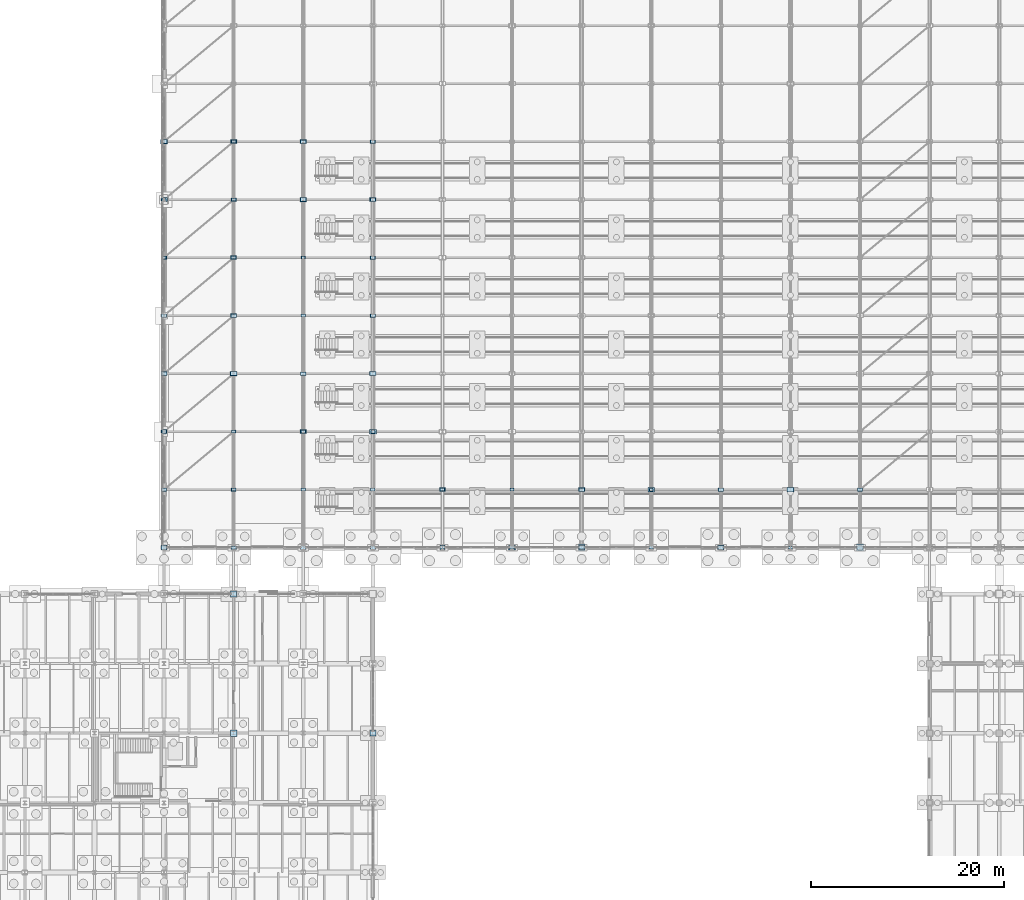
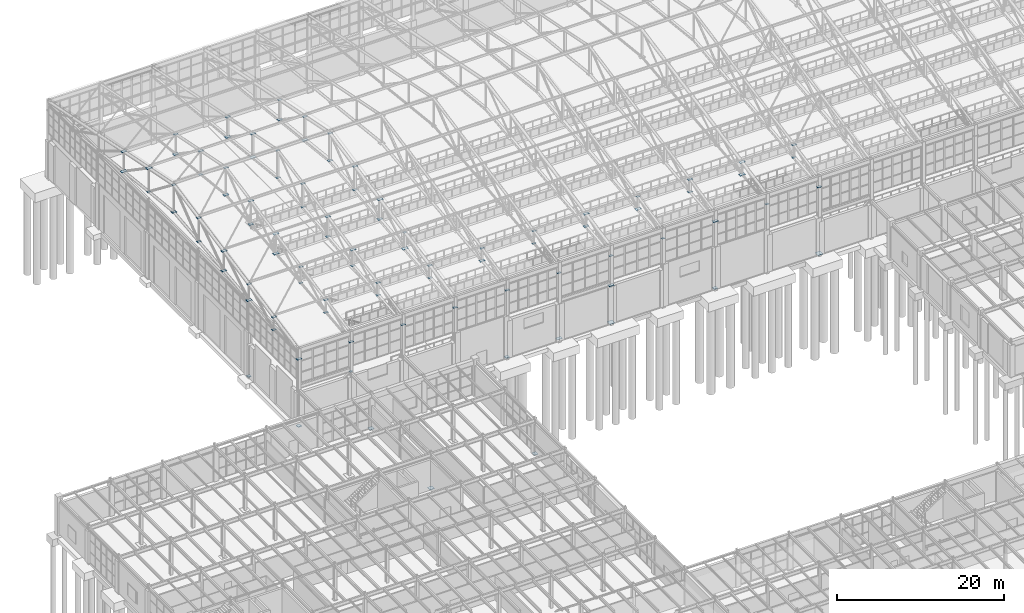
# One storey, part 256 of 293: 93 plates.
"""IFC4 building model written with IfcOpenShell, lengths in metres."""

import ifcopenshell
import ifcopenshell.guid

model = None  # the IFC model being written
_history = None  # IfcOwnerHistory: only IFC2X3 demands one
_inside = {}  # id of a spatial element -> (the spatial element, [elements in it])
_under = {}  # id of a project, library or spatial element -> (it, [spatial elements below it])
_declared = {}  # id of a project -> (the project, [libraries it declares])
_typed = {}  # id of a type object -> (the type object, [elements of that type])
_made_of = {}  # id of a material, layer set ... -> (it, [elements and type objects made of it])


def new_model(schema):
    """Start an empty IFC model of exactly this schema.

    Asked for "IFC4X3", IfcOpenShell would pick the latest addendum, in which some entities
    have other attributes; the version numbers below select the first issue.
    IFC2X3 requires an IfcOwnerHistory on every rooted entity: one is made here for all.
    """
    global model, _history
    if schema == "IFC4X3":
        model = ifcopenshell.file(schema_version=(4, 3, 0, 0))
    else:
        model = ifcopenshell.file(schema=schema)
    _inside.clear()
    _under.clear()
    _declared.clear()
    _typed.clear()
    _made_of.clear()
    _history = None
    if model.schema == "IFC2X3":
        org = make("IfcOrganization", Name="unknown")
        user = make(
            "IfcPersonAndOrganization",
            ThePerson=make("IfcPerson", FamilyName="unknown"),
            TheOrganization=org,
        )
        app = make(
            "IfcApplication",
            ApplicationDeveloper=org,
            Version="unknown",
            ApplicationFullName="unknown",
            ApplicationIdentifier="unknown",
        )
        _history = make(
            "IfcOwnerHistory",
            OwningUser=user,
            OwningApplication=app,
            ChangeAction="ADDED",
            CreationDate=0,
        )
    return model


def make(cls, **values):
    """One entity of the class cls with the attributes given. An attribute that is None is left unset."""
    return model.create_entity(
        cls, **{name: value for name, value in values.items() if value is not None}
    )


def rooted(cls, **values):
    """An entity with a GlobalId (a new one), such as an element, a storey or a relation."""
    return make(cls, GlobalId=ifcopenshell.guid.new(), OwnerHistory=_history, **values)


def si_unit(unit_type, name, prefix=None):
    """IfcSIUnit, for example si_unit("LENGTHUNIT", "METRE", prefix="MILLI")."""
    return make("IfcSIUnit", UnitType=unit_type, Prefix=prefix, Name=name)


def assignment(units):
    """IfcUnitAssignment: the units of a project."""
    return None if units is None else make("IfcUnitAssignment", Units=units)


def point(xyz):
    """IfcCartesianPoint."""
    return None if xyz is None else make("IfcCartesianPoint", Coordinates=xyz)


def direction(xyz):
    """IfcDirection."""
    return None if xyz is None else make("IfcDirection", DirectionRatios=xyz)


def frame(location, z_axis=None, x_axis=None):
    """IfcAxis2Placement3D, a coordinate frame: its origin and axes. An axis left out is left unset."""
    return make(
        "IfcAxis2Placement3D",
        Location=point(location),
        Axis=direction(z_axis),
        RefDirection=direction(x_axis),
    )


def frame_2d(location, x_axis=None):
    """IfcAxis2Placement2D, a coordinate frame in the plane: its origin and x axis."""
    return make(
        "IfcAxis2Placement2D", Location=point(location), RefDirection=direction(x_axis)
    )


def origin():
    """The frame at (0, 0, 0) with its axes left unset."""
    return frame((0.0, 0.0, 0.0))


def origin_2d():
    """The frame at (0, 0) in the plane with its x axis left unset."""
    return frame_2d((0.0, 0.0))


def place(relative_to, where):
    """IfcLocalPlacement: puts the frame where relative to a parent placement (None: the world)."""
    return make(
        "IfcLocalPlacement", PlacementRelTo=relative_to, RelativePlacement=where
    )


def context(
    kind, dimensions, precision=None, world=None, true_north=None, identifier=None
):
    """IfcGeometricRepresentationContext, for example the 3D "Model" context."""
    return make(
        "IfcGeometricRepresentationContext",
        ContextIdentifier=identifier,
        ContextType=kind,
        CoordinateSpaceDimension=dimensions,
        Precision=precision,
        WorldCoordinateSystem=world,
        TrueNorth=true_north,
    )


def subcontext(parent, identifier, kind, view, scale=None):
    """IfcGeometricRepresentationSubContext, for example "Body" below "Model"."""
    return make(
        "IfcGeometricRepresentationSubContext",
        ContextIdentifier=identifier,
        ContextType=kind,
        ParentContext=parent,
        TargetScale=scale,
        TargetView=view,
    )


def project(units=None, contexts=None):
    """IfcProject with its units and contexts."""
    return rooted(
        "IfcProject",
        Name="project",
        RepresentationContexts=contexts,
        UnitsInContext=assignment(units),
    )


def spatial(cls, under=None, at=None, **own):
    """A site, building, storey or space (cls), placed at a placement, below another one or the project."""
    s = rooted(cls, ObjectPlacement=at, **own)
    if under is not None:
        _under.setdefault(under.id(), (under, []))[1].append(s)
    return s


def profile(cls, at=None, kind="AREA", **sizes):
    """A parametric profile (cls). Its sizes go by their IFC names, for example OverallWidth=200.0."""
    return make(cls, ProfileType=kind, Position=at, **sizes)


def rectangle(**sizes):
    """IfcRectangleProfileDef."""
    return profile("IfcRectangleProfileDef", **sizes)


def extrude(swept, where, along, depth):
    """IfcExtrudedAreaSolid: the profile swept, set in the frame where, extruded along a direction by depth."""
    return make(
        "IfcExtrudedAreaSolid",
        SweptArea=swept,
        Position=where,
        ExtrudedDirection=direction(along),
        Depth=depth,
    )


def shape(context_of_items, identifier, shape_type, items):
    """IfcShapeRepresentation: the items that make up one representation, for example the "Body"."""
    return make(
        "IfcShapeRepresentation",
        ContextOfItems=context_of_items,
        RepresentationIdentifier=identifier,
        RepresentationType=shape_type,
        Items=items,
    )


def material(Name=None, Category=None):
    """IfcMaterial."""
    return make("IfcMaterial", Name=Name, Category=Category)


def layer(
    of_material, thickness, ventilated=None, Name=None, Category=None, Priority=None
):
    """IfcMaterialLayer: one layer of a wall or slab, of a material (None: an air gap)."""
    return make(
        "IfcMaterialLayer",
        Material=of_material,
        LayerThickness=thickness,
        IsVentilated=ventilated,
        Name=Name,
        Category=Category,
        Priority=Priority,
    )


def layer_set(layers, Name=None):
    """IfcMaterialLayerSet."""
    return make("IfcMaterialLayerSet", MaterialLayers=layers, LayerSetName=Name)


def made_of(thing, what):
    """Note that an element or type object is made of a material, layer set ...; save() writes the relation."""
    if what is not None:
        _made_of.setdefault(what.id(), (what, []))[1].append(thing)
    return thing


def type_object(cls, material=None, **own):
    """A type object (cls), such as IfcWallType, which elements share."""
    return made_of(rooted(cls, **own), material)


def element(
    cls,
    number,
    at=None,
    inside=None,
    cuts=None,
    type_object=None,
    material=None,
    context=None,
    identifier="Body",
    shape_type=None,
    held_by="IfcProductDefinitionShape",
    body=None,
    shapes=None,
    **own,
):
    """One element of the class cls, such as IfcWall. Its Tag is "e" and its number.

    at: its placement. inside: the storey or other place that contains it. cuts: it is an
    opening in that element (IfcRelVoidsElement). A single representation is given by context,
    identifier, shape_type and body (its items); several are given by shapes. held_by: the class
    of the entity that holds the representations. save() writes the other relations.
    """
    e = rooted(cls, Tag="e%d" % number, ObjectPlacement=at, **own)
    if body is not None:
        shapes = [shape(context, identifier, shape_type, body)]
    if shapes is not None:
        e.Representation = make(held_by, Representations=shapes)
    if inside is not None:
        _inside.setdefault(inside.id(), (inside, []))[1].append(e)
    if cuts is not None:
        rooted(
            "IfcRelVoidsElement", RelatingBuildingElement=cuts, RelatedOpeningElement=e
        )
    if type_object is not None:
        _typed.setdefault(type_object.id(), (type_object, []))[1].append(e)
    return made_of(e, material)


def aggregate(whole, parts):
    """IfcRelAggregates: a whole, such as a stair, and the parts it consists of."""
    return rooted("IfcRelAggregates", RelatingObject=whole, RelatedObjects=parts)


def save(model, path):
    """Write the relations noted so far, then the file.

    IfcRelAggregates (storeys below a building ...), IfcRelContainedInSpatialStructure (elements
    in a storey), IfcRelDefinesByType, IfcRelAssociatesMaterial and IfcRelDeclares: one each for
    every whole, place, type object, material and project.
    """
    for whole, parts in _under.values():
        aggregate(whole, parts)
    for where, things in _inside.values():
        rooted(
            "IfcRelContainedInSpatialStructure",
            RelatedElements=things,
            RelatingStructure=where,
        )
    for kind, things in _typed.values():
        rooted("IfcRelDefinesByType", RelatedObjects=things, RelatingType=kind)
    for what, things in _made_of.values():
        rooted("IfcRelAssociatesMaterial", RelatedObjects=things, RelatingMaterial=what)
    for by, libraries in _declared.values():
        rooted("IfcRelDeclares", RelatingContext=by, RelatedDefinitions=libraries)
    model.write(path)


model = new_model("IFC4")

# Units and contexts
model_context = context("Model", 3, precision=1e-05, world=origin(), true_north=direction((0.0, 1.0)))
body_context = subcontext(model_context, "Body", "Model", "MODEL_VIEW")
ifc_project = project(units=[si_unit("LENGTHUNIT", "METRE"), si_unit("AREAUNIT", "SQUARE_METRE"), si_unit("VOLUMEUNIT", "CUBIC_METRE"), si_unit("PLANEANGLEUNIT", "RADIAN"), si_unit("MASSUNIT", "GRAM", prefix="KILO")], contexts=[model_context])

# Site, building, storey
site_placement = place(None, origin())
site = spatial("IfcSite", under=ifc_project, at=site_placement, CompositionType="ELEMENT")
building_placement = place(site_placement, origin())
building = spatial("IfcBuilding", under=site, at=building_placement, Name="Kemerveld Promenade Tramway Depot", CompositionType="ELEMENT")
storey_placement = place(building_placement, origin())
storey = spatial("IfcBuildingStorey", under=building, at=storey_placement, Name="L00", CompositionType="ELEMENT", Elevation=0.0)

# Plates
ifc_material = material(Name="Steel S355", Category="steel")
ifc_layer_1 = layer(ifc_material, 0.034912109375)
ifc_layer_set_1 = layer_set([ifc_layer_1], Name="PL-BP05")
plate_type_1 = type_object("IfcPlateType", Name="PL-BP05", PredefinedType="USERDEFINED", material=ifc_layer_set_1)
for number, where, z_axis, x_axis, name in (
    (1, (79.199951171875, 84.0, 0.0), (0.0, 0.0, 1.0), (1.0, 0.0, 0.0), "BP-12-N"),
    (2, (108.0, 84.0, 0.0), (0.0, 0.0, 1.0), (1.0, 0.0, 0.0), "BP-16-N"),
):
    element("IfcPlate", number, at=place(storey_placement, frame(where, z_axis=z_axis, x_axis=x_axis)), inside=storey, type_object=plate_type_1, Name=name, ObjectType="BASE_PLATE", PredefinedType="USERDEFINED", context=body_context, shape_type="SweptSolid", body=[
        extrude(rectangle(XDim=0.699951171875, YDim=0.699951171875, at=origin_2d()), origin(), (0.0, 0.0, 1.0), 0.034912109375),
    ])
ifc_layer_2 = layer(ifc_material, 0.030029296875)
ifc_layer_set_2 = layer_set([ifc_layer_2], Name="PL-BP06")
plate_type_2 = type_object("IfcPlateType", Name="PL-BP06", PredefinedType="USERDEFINED", material=ifc_layer_set_2)
plate_1_placement = place(storey_placement, frame((43.199951171875, 64.800048828125, 0.0), z_axis=(0.0, 0.0, 1.0), x_axis=(1.0, 0.0, 0.0)))
element("IfcPlate", 3, at=plate_1_placement, inside=storey, type_object=plate_type_2, Name="BP-07-K", ObjectType="BASE_PLATE", PredefinedType="USERDEFINED", context=body_context, shape_type="SweptSolid", body=[
    extrude(rectangle(XDim=0.64990234375, YDim=0.64990234375, at=origin_2d()), origin(), (0.0, 0.0, 1.0), 0.030029296875),
])
ifc_layer_3 = layer(ifc_material, 0.030029296875)
ifc_layer_set_3 = layer_set([ifc_layer_3], Name="PL-BP07")
plate_type_3 = type_object("IfcPlateType", Name="PL-BP07", PredefinedType="USERDEFINED", material=ifc_layer_set_3)
for number, where, z_axis, x_axis, name in (
    (4, (43.199951171875, 79.199951171875, 0.0), (0.0, 0.0, 1.0), (1.0, 0.0, 0.0), "BP-07-M"),
    (5, (57.60009765625, 64.800048828125, 0.0), (0.0, 0.0, 1.0), (1.0, 0.0, 0.0), "BP-09-K"),
):
    element("IfcPlate", number, at=place(storey_placement, frame(where, z_axis=z_axis, x_axis=x_axis)), inside=storey, type_object=plate_type_3, Name=name, ObjectType="BASE_PLATE", PredefinedType="USERDEFINED", context=body_context, shape_type="SweptSolid", body=[
        extrude(rectangle(XDim=0.60009765625, YDim=0.60009765625, at=origin_2d()), origin(), (0.0, 0.0, 1.0), 0.030029296875),
    ])
ifc_layer_4 = layer(ifc_material, 0.02490234375)
ifc_layer_set_4 = layer_set([ifc_layer_4], Name="PL-BP11")
plate_type_4 = type_object("IfcPlateType", Name="PL-BP11", PredefinedType="USERDEFINED", material=ifc_layer_set_4)
for number, where, z_axis, x_axis, name in (
    (6, (36.0, 84.0, 0.0), (0.0, 0.0, 1.0), (1.0, 0.0, 0.0), "BP-06-N"),
    (7, (64.800048828125, 84.0, 0.0), (0.0, 0.0, 1.0), (1.0, 0.0, 0.0), "BP-10-N"),
    (8, (93.60009765625, 84.0, 0.0), (0.0, 0.0, 1.0), (1.0, 0.0, 0.0), "BP-14-N"),
):
    element("IfcPlate", number, at=place(storey_placement, frame(where, z_axis=z_axis, x_axis=x_axis)), inside=storey, type_object=plate_type_4, Name=name, ObjectType="BASE_PLATE", PredefinedType="USERDEFINED", context=body_context, shape_type="SweptSolid", body=[
        extrude(rectangle(XDim=0.5, YDim=0.5, at=origin_2d()), origin(), (0.0, 0.0, 1.0), 0.02490234375),
    ])
ifc_layer_5 = layer(ifc_material, 0.02197265625)
ifc_layer_set_5 = layer_set([ifc_layer_5], Name="PL-BP12")
plate_type_5 = type_object("IfcPlateType", Name="PL-BP12", PredefinedType="USERDEFINED", material=ifc_layer_set_5)
plate_2_placement = place(storey_placement, frame((36.0, 96.0, 0.0), z_axis=(0.0, 0.0, 1.0), x_axis=(1.0, 0.0, 0.0)))
element("IfcPlate", 9, at=plate_2_placement, inside=storey, type_object=plate_type_5, Name="BP-06-P", ObjectType="BASE_PLATE", PredefinedType="USERDEFINED", context=body_context, shape_type="SweptSolid", body=[
    extrude(rectangle(XDim=0.449951171875, YDim=0.449951171875, at=origin_2d()), origin(), (0.0, 0.0, 1.0), 0.02197265625),
])
ifc_layer_6 = layer(ifc_material, 0.02490234375)
ifc_layer_set_6 = layer_set([ifc_layer_6], Name="PL-GS01")
plate_type_6 = type_object("IfcPlateType", Name="PL-GS01", PredefinedType="USERDEFINED", material=ifc_layer_set_6)
for number, where, z_axis, x_axis, name in (
    (10, (36.0, 96.0, 11.107666015625), (0.0, 0.0, 1.0), (1.0, 0.0, 0.0), "GP-06-02"),
    (11, (36.0, 102.0, 14.6875), (0.0, 0.0, 1.0), (1.0, 0.0, 0.0), "GP-NODE-0076"),
    (12, (43.199951171875, 126.0, 11.767578125), (0.0, 0.0, 1.0), (1.0, 0.0, 0.0), "GP-NODE-0100"),
    (13, (50.39990234375, 96.0, 13.487548828125), (0.0, 0.0, 1.0), (1.0, 0.0, 0.0), "GP-NODE-0112"),
    (14, (57.60009765625, 120.0, 12.427490234375), (0.0, 0.0, 1.0), (1.0, 0.0, 0.0), "GP-NODE-0136"),
    (15, (64.800048828125, 90.0, 10.447509765625), (0.0, 0.0, 1.0), (1.0, 0.0, 0.0), "GP-NODE-0148"),
    (16, (79.199951171875, 90.0, 12.28759765625), (0.0, 0.0, 1.0), (1.0, 0.0, 0.0), "GP-NODE-0184"),
    (17, (93.60009765625, 84.0, 9.78759765625), (0.0, 0.0, 1.0), (1.0, 0.0, 0.0), "GP-NODE-0220"),
):
    element("IfcPlate", number, at=place(storey_placement, frame(where, z_axis=z_axis, x_axis=x_axis)), inside=storey, type_object=plate_type_6, Name=name, ObjectType="GUSSET_PLATE", PredefinedType="USERDEFINED", context=body_context, shape_type="SweptSolid", body=[
        extrude(rectangle(XDim=0.64990234375, YDim=0.419921875, at=origin_2d()), origin(), (0.0, 0.0, 1.0), 0.02490234375),
    ])
ifc_layer_7 = layer(ifc_material, 0.02490234375)
ifc_layer_set_7 = layer_set([ifc_layer_7], Name="PL-GS02")
plate_type_7 = type_object("IfcPlateType", Name="PL-GS02", PredefinedType="USERDEFINED", material=ifc_layer_set_7)
for number, where, z_axis, x_axis, name in (
    (18, (36.0, 114.0, 13.087646484375), (0.0, 0.0, 1.0), (1.0, 0.0, 0.0), "GP-06-05"),
    (19, (36.0, 102.0, 11.767578125), (0.0, 0.0, 1.0), (1.0, 0.0, 0.0), "GP-NODE-0077"),
    (20, (43.199951171875, 84.0, 9.78759765625), (0.0, 0.0, 1.0), (1.0, 0.0, 0.0), "GP-NODE-0089"),
    (21, (43.199951171875, 120.0, 15.887451171875), (0.0, 0.0, 1.0), (1.0, 0.0, 0.0), "GP-NODE-0101"),
    (22, (50.39990234375, 102.0, 14.6875), (0.0, 0.0, 1.0), (1.0, 0.0, 0.0), "GP-NODE-0113"),
    (23, (57.60009765625, 126.0, 11.767578125), (0.0, 0.0, 1.0), (1.0, 0.0, 0.0), "GP-NODE-0137"),
    (24, (79.199951171875, 90.0, 10.447509765625), (0.0, 0.0, 1.0), (1.0, 0.0, 0.0), "GP-NODE-0185"),
    (25, (93.60009765625, 90.0, 12.28759765625), (0.0, 0.0, 1.0), (1.0, 0.0, 0.0), "GP-NODE-0221"),
    (26, (108.0, 84.0, 9.78759765625), (0.0, 0.0, 1.0), (1.0, 0.0, 0.0), "GP-NODE-0257"),
):
    element("IfcPlate", number, at=place(storey_placement, frame(where, z_axis=z_axis, x_axis=x_axis)), inside=storey, type_object=plate_type_7, Name=name, ObjectType="GUSSET_PLATE", PredefinedType="USERDEFINED", context=body_context, shape_type="SweptSolid", body=[
        extrude(rectangle(XDim=0.580078125, YDim=0.3798828125, at=origin_2d()), origin(), (0.0, 0.0, 1.0), 0.02490234375),
    ])
ifc_layer_8 = layer(ifc_material, 0.02001953125)
ifc_layer_set_8 = layer_set([ifc_layer_8], Name="PL-GS03")
plate_type_8 = type_object("IfcPlateType", Name="PL-GS03", PredefinedType="USERDEFINED", material=ifc_layer_set_8)
for number, where, z_axis, x_axis, name in (
    (27, (36.0, 108.0, 15.889892578125), (0.0, 0.0, 1.0), (1.0, 0.0, 0.0), "GP-NODE-0078"),
    (28, (43.199951171875, 90.0, 12.2900390625), (0.0, 0.0, 1.0), (1.0, 0.0, 0.0), "GP-NODE-0090"),
    (29, (50.39990234375, 102.0, 11.77001953125), (0.0, 0.0, 1.0), (1.0, 0.0, 0.0), "GP-NODE-0114"),
    (30, (57.60009765625, 84.0, 9.7900390625), (0.0, 0.0, 1.0), (1.0, 0.0, 0.0), "GP-NODE-0126"),
    (31, (57.60009765625, 120.0, 15.889892578125), (0.0, 0.0, 1.0), (1.0, 0.0, 0.0), "GP-NODE-0138"),
    (32, (93.60009765625, 90.0, 10.449951171875), (0.0, 0.0, 1.0), (1.0, 0.0, 0.0), "GP-NODE-0222"),
    (33, (108.0, 90.0, 12.2900390625), (0.0, 0.0, 1.0), (1.0, 0.0, 0.0), "GP-NODE-0258"),
):
    element("IfcPlate", number, at=place(storey_placement, frame(where, z_axis=z_axis, x_axis=x_axis)), inside=storey, type_object=plate_type_8, Name=name, ObjectType="GUSSET_PLATE", PredefinedType="USERDEFINED", context=body_context, shape_type="SweptSolid", body=[
        extrude(rectangle(XDim=0.52001953125, YDim=0.340087890625, at=origin_2d()), origin(), (0.0, 0.0, 1.0), 0.02001953125),
    ])
ifc_layer_9 = layer(ifc_material, 0.02001953125)
ifc_layer_set_9 = layer_set([ifc_layer_9], Name="PL-GS04")
plate_type_9 = type_object("IfcPlateType", Name="PL-GS04", PredefinedType="USERDEFINED", material=ifc_layer_set_9)
for number, where, z_axis, x_axis, name in (
    (34, (50.39990234375, 96.0, 11.110107421875), (0.0, 0.0, 1.0), (1.0, 0.0, 0.0), "GP-08-02"),
    (35, (36.0, 108.0, 12.429931640625), (0.0, 0.0, 1.0), (1.0, 0.0, 0.0), "GP-NODE-0079"),
    (36, (43.199951171875, 90.0, 10.449951171875), (0.0, 0.0, 1.0), (1.0, 0.0, 0.0), "GP-NODE-0091"),
    (37, (43.199951171875, 126.0, 14.68994140625), (0.0, 0.0, 1.0), (1.0, 0.0, 0.0), "GP-NODE-0103"),
    (38, (50.39990234375, 108.0, 15.889892578125), (0.0, 0.0, 1.0), (1.0, 0.0, 0.0), "GP-NODE-0115"),
    (39, (57.60009765625, 90.0, 12.2900390625), (0.0, 0.0, 1.0), (1.0, 0.0, 0.0), "GP-NODE-0127"),
    (40, (72.0, 84.0, 9.7900390625), (0.0, 0.0, 1.0), (1.0, 0.0, 0.0), "GP-NODE-0163"),
    (41, (108.0, 90.0, 10.449951171875), (0.0, 0.0, 1.0), (1.0, 0.0, 0.0), "GP-NODE-0259"),
):
    element("IfcPlate", number, at=place(storey_placement, frame(where, z_axis=z_axis, x_axis=x_axis)), inside=storey, type_object=plate_type_9, Name=name, ObjectType="GUSSET_PLATE", PredefinedType="USERDEFINED", context=body_context, shape_type="SweptSolid", body=[
        extrude(rectangle(XDim=0.47998046875, YDim=0.320068359375, at=origin_2d()), origin(), (0.0, 0.0, 1.0), 0.02001953125),
    ])
ifc_layer_10 = layer(ifc_material, 0.02001953125)
ifc_layer_set_10 = layer_set([ifc_layer_10], Name="PL-GS05")
plate_type_10 = type_object("IfcPlateType", Name="PL-GS05", PredefinedType="USERDEFINED", material=ifc_layer_set_10)
for number, where, z_axis, x_axis, name in (
    (42, (50.39990234375, 114.0, 13.090087890625), (0.0, 0.0, 1.0), (1.0, 0.0, 0.0), "GP-08-05"),
    (43, (36.0, 114.0, 17.090087890625), (0.0, 0.0, 1.0), (1.0, 0.0, 0.0), "GP-NODE-0080"),
    (44, (43.199951171875, 96.0, 13.489990234375), (0.0, 0.0, 1.0), (1.0, 0.0, 0.0), "GP-NODE-0092"),
    (45, (50.39990234375, 108.0, 12.429931640625), (0.0, 0.0, 1.0), (1.0, 0.0, 0.0), "GP-NODE-0116"),
    (46, (57.60009765625, 90.0, 10.449951171875), (0.0, 0.0, 1.0), (1.0, 0.0, 0.0), "GP-NODE-0128"),
    (47, (57.60009765625, 126.0, 14.68994140625), (0.0, 0.0, 1.0), (1.0, 0.0, 0.0), "GP-NODE-0140"),
    (48, (72.0, 90.0, 12.2900390625), (0.0, 0.0, 1.0), (1.0, 0.0, 0.0), "GP-NODE-0164"),
    (49, (86.39990234375, 84.0, 9.7900390625), (0.0, 0.0, 1.0), (1.0, 0.0, 0.0), "GP-NODE-0200"),
):
    element("IfcPlate", number, at=place(storey_placement, frame(where, z_axis=z_axis, x_axis=x_axis)), inside=storey, type_object=plate_type_10, Name=name, ObjectType="GUSSET_PLATE", PredefinedType="USERDEFINED", context=body_context, shape_type="SweptSolid", body=[
        extrude(rectangle(XDim=0.43994140625, YDim=0.300048828125, at=origin_2d()), origin(), (0.0, 0.0, 1.0), 0.02001953125),
    ])
ifc_layer_11 = layer(ifc_material, 0.01806640625)
ifc_layer_set_11 = layer_set([ifc_layer_11], Name="PL-GS06")
plate_type_11 = type_object("IfcPlateType", Name="PL-GS06", PredefinedType="USERDEFINED", material=ifc_layer_set_11)
for number, where, z_axis, x_axis, name in (
    (50, (43.199951171875, 84.0, 5.454345703125), (0.0, 0.0, 1.0), (1.0, 0.0, 0.0), "GP-NODE-0057"),
    (51, (36.0, 120.0, 12.430908203125), (0.0, 0.0, 1.0), (1.0, 0.0, 0.0), "GP-NODE-0081"),
    (52, (43.199951171875, 96.0, 11.111083984375), (0.0, 0.0, 1.0), (1.0, 0.0, 0.0), "GP-NODE-0093"),
    (53, (50.39990234375, 114.0, 17.091064453125), (0.0, 0.0, 1.0), (1.0, 0.0, 0.0), "GP-NODE-0117"),
    (54, (57.60009765625, 96.0, 13.490966796875), (0.0, 0.0, 1.0), (1.0, 0.0, 0.0), "GP-NODE-0129"),
    (55, (72.0, 90.0, 10.450927734375), (0.0, 0.0, 1.0), (1.0, 0.0, 0.0), "GP-NODE-0165"),
    (56, (86.39990234375, 90.0, 12.291015625), (0.0, 0.0, 1.0), (1.0, 0.0, 0.0), "GP-NODE-0201"),
    (57, (100.800048828125, 84.0, 9.791015625), (0.0, 0.0, 1.0), (1.0, 0.0, 0.0), "GP-NODE-0237"),
):
    element("IfcPlate", number, at=place(storey_placement, frame(where, z_axis=z_axis, x_axis=x_axis)), inside=storey, type_object=plate_type_11, Name=name, ObjectType="GUSSET_PLATE", PredefinedType="USERDEFINED", context=body_context, shape_type="SweptSolid", body=[
        extrude(rectangle(XDim=0.39990234375, YDim=0.280029296875, at=origin_2d()), origin(), (0.0, 0.0, 1.0), 0.01806640625),
    ])
ifc_layer_12 = layer(ifc_material, 0.028076171875)
ifc_layer_set_12 = layer_set([ifc_layer_12], Name="PL-GS07")
plate_type_12 = type_object("IfcPlateType", Name="PL-GS07", PredefinedType="USERDEFINED", material=ifc_layer_set_12)
for number, where, z_axis, x_axis, name in (
    (58, (72.0, 84.0, 0.18603515625), (0.0, 0.0, 1.0), (1.0, 0.0, 0.0), "GP-NODE-0058"),
    (59, (36.0, 126.0, 11.76611328125), (0.0, 0.0, 1.0), (1.0, 0.0, 0.0), "GP-NODE-0082"),
    (60, (43.199951171875, 102.0, 14.68603515625), (0.0, 0.0, 1.0), (1.0, 0.0, 0.0), "GP-NODE-0094"),
    (61, (50.39990234375, 120.0, 12.42578125), (0.0, 0.0, 1.0), (1.0, 0.0, 0.0), "GP-NODE-0118"),
    (62, (57.60009765625, 96.0, 11.10595703125), (0.0, 0.0, 1.0), (1.0, 0.0, 0.0), "GP-NODE-0130"),
    (63, (86.39990234375, 90.0, 10.44580078125), (0.0, 0.0, 1.0), (1.0, 0.0, 0.0), "GP-NODE-0202"),
    (64, (100.800048828125, 90.0, 12.2861328125), (0.0, 0.0, 1.0), (1.0, 0.0, 0.0), "GP-NODE-0238"),
):
    element("IfcPlate", number, at=place(storey_placement, frame(where, z_axis=z_axis, x_axis=x_axis)), inside=storey, type_object=plate_type_12, Name=name, ObjectType="GUSSET_PLATE", PredefinedType="USERDEFINED", context=body_context, shape_type="SweptSolid", body=[
        extrude(rectangle(XDim=0.719970703125, YDim=0.4599609375, at=origin_2d()), origin(), (0.0, 0.0, 1.0), 0.028076171875),
    ])
ifc_layer_13 = layer(ifc_material, 0.02587890625)
ifc_layer_set_13 = layer_set([ifc_layer_13], Name="PL-GS08")
plate_type_13 = type_object("IfcPlateType", Name="PL-GS08", PredefinedType="USERDEFINED", material=ifc_layer_set_13)
for number, where, z_axis, x_axis, name in (
    (65, (79.199951171875, 84.0, 5.450439453125), (0.0, 0.0, 1.0), (1.0, 0.0, 0.0), "GP-NODE-0059"),
    (66, (36.0, 120.0, 15.886962890625), (0.0, 0.0, 1.0), (1.0, 0.0, 0.0), "GP-NODE-0083"),
    (67, (43.199951171875, 102.0, 11.76708984375), (0.0, 0.0, 1.0), (1.0, 0.0, 0.0), "GP-NODE-0095"),
    (68, (50.39990234375, 126.0, 11.76708984375), (0.0, 0.0, 1.0), (1.0, 0.0, 0.0), "GP-NODE-0119"),
    (69, (57.60009765625, 102.0, 14.68701171875), (0.0, 0.0, 1.0), (1.0, 0.0, 0.0), "GP-NODE-0131"),
    (70, (100.800048828125, 90.0, 10.447021484375), (0.0, 0.0, 1.0), (1.0, 0.0, 0.0), "GP-NODE-0239"),
):
    element("IfcPlate", number, at=place(storey_placement, frame(where, z_axis=z_axis, x_axis=x_axis)), inside=storey, type_object=plate_type_13, Name=name, ObjectType="GUSSET_PLATE", PredefinedType="USERDEFINED", context=body_context, shape_type="SweptSolid", body=[
        extrude(rectangle(XDim=0.679931640625, YDim=0.43994140625, at=origin_2d()), origin(), (0.0, 0.0, 1.0), 0.02587890625),
    ])
ifc_layer_14 = layer(ifc_material, 0.02392578125)
ifc_layer_set_14 = layer_set([ifc_layer_14], Name="PL-GS09")
plate_type_14 = type_object("IfcPlateType", Name="PL-GS09", PredefinedType="USERDEFINED", material=ifc_layer_set_14)
for number, where, z_axis, x_axis, name in (
    (71, (36.0, 84.0, 9.7880859375), (0.0, 0.0, 1.0), (1.0, 0.0, 0.0), "GP-NODE-0072"),
    (72, (36.0, 126.0, 14.68798828125), (0.0, 0.0, 1.0), (1.0, 0.0, 0.0), "GP-NODE-0084"),
    (73, (43.199951171875, 108.0, 15.887939453125), (0.0, 0.0, 1.0), (1.0, 0.0, 0.0), "GP-NODE-0096"),
    (74, (43.199951171875, 114.0, 13.088134765625), (0.0, 0.0, 1.0), (1.0, 0.0, 0.0), "GP-NODE-0108"),
    (75, (50.39990234375, 120.0, 15.887939453125), (0.0, 0.0, 1.0), (1.0, 0.0, 0.0), "GP-NODE-0120"),
    (76, (57.60009765625, 102.0, 11.76806640625), (0.0, 0.0, 1.0), (1.0, 0.0, 0.0), "GP-NODE-0132"),
):
    element("IfcPlate", number, at=place(storey_placement, frame(where, z_axis=z_axis, x_axis=x_axis)), inside=storey, type_object=plate_type_14, Name=name, ObjectType="GUSSET_PLATE", PredefinedType="USERDEFINED", context=body_context, shape_type="SweptSolid", body=[
        extrude(rectangle(XDim=0.6201171875, YDim=0.39990234375, at=origin_2d()), origin(), (0.0, 0.0, 1.0), 0.02392578125),
    ])
ifc_layer_15 = layer(ifc_material, 0.02197265625)
ifc_layer_set_15 = layer_set([ifc_layer_15], Name="PL-GS10")
plate_type_15 = type_object("IfcPlateType", Name="PL-GS10", PredefinedType="USERDEFINED", material=ifc_layer_set_15)
for number, where, z_axis, x_axis, name in (
    (77, (36.0, 90.0, 12.2890625), (0.0, 0.0, 1.0), (1.0, 0.0, 0.0), "GP-NODE-0073"),
    (78, (43.199951171875, 108.0, 12.428955078125), (0.0, 0.0, 1.0), (1.0, 0.0, 0.0), "GP-NODE-0097"),
    (79, (50.39990234375, 84.0, 9.7890625), (0.0, 0.0, 1.0), (1.0, 0.0, 0.0), "GP-NODE-0109"),
    (80, (50.39990234375, 126.0, 14.68896484375), (0.0, 0.0, 1.0), (1.0, 0.0, 0.0), "GP-NODE-0121"),
    (81, (57.60009765625, 108.0, 15.888916015625), (0.0, 0.0, 1.0), (1.0, 0.0, 0.0), "GP-NODE-0133"),
    (82, (57.60009765625, 114.0, 13.089111328125), (0.0, 0.0, 1.0), (1.0, 0.0, 0.0), "GP-NODE-0145"),
):
    element("IfcPlate", number, at=place(storey_placement, frame(where, z_axis=z_axis, x_axis=x_axis)), inside=storey, type_object=plate_type_15, Name=name, ObjectType="GUSSET_PLATE", PredefinedType="USERDEFINED", context=body_context, shape_type="SweptSolid", body=[
        extrude(rectangle(XDim=0.550048828125, YDim=0.360107421875, at=origin_2d()), origin(), (0.0, 0.0, 1.0), 0.02197265625),
    ])
ifc_layer_16 = layer(ifc_material, 0.02001953125)
ifc_layer_set_16 = layer_set([ifc_layer_16], Name="PL-GS11")
plate_type_16 = type_object("IfcPlateType", Name="PL-GS11", PredefinedType="USERDEFINED", material=ifc_layer_set_16)
for number, where, z_axis, x_axis, name in (
    (83, (36.0, 90.0, 10.449951171875), (0.0, 0.0, 1.0), (1.0, 0.0, 0.0), "GP-NODE-0074"),
    (84, (43.199951171875, 114.0, 17.090087890625), (0.0, 0.0, 1.0), (1.0, 0.0, 0.0), "GP-NODE-0098"),
    (85, (50.39990234375, 90.0, 12.2900390625), (0.0, 0.0, 1.0), (1.0, 0.0, 0.0), "GP-NODE-0110"),
    (86, (57.60009765625, 108.0, 12.429931640625), (0.0, 0.0, 1.0), (1.0, 0.0, 0.0), "GP-NODE-0134"),
    (87, (64.800048828125, 84.0, 9.7900390625), (0.0, 0.0, 1.0), (1.0, 0.0, 0.0), "GP-NODE-0146"),
):
    element("IfcPlate", number, at=place(storey_placement, frame(where, z_axis=z_axis, x_axis=x_axis)), inside=storey, type_object=plate_type_16, Name=name, ObjectType="GUSSET_PLATE", PredefinedType="USERDEFINED", context=body_context, shape_type="SweptSolid", body=[
        extrude(rectangle(XDim=0.5, YDim=0.330078125, at=origin_2d()), origin(), (0.0, 0.0, 1.0), 0.02001953125),
    ])
ifc_layer_17 = layer(ifc_material, 0.01806640625)
ifc_layer_set_17 = layer_set([ifc_layer_17], Name="PL-GS12")
plate_type_17 = type_object("IfcPlateType", Name="PL-GS12", PredefinedType="USERDEFINED", material=ifc_layer_set_17)
for number, where, z_axis, x_axis, name in (
    (88, (36.0, 96.0, 13.490966796875), (0.0, 0.0, 1.0), (1.0, 0.0, 0.0), "GP-NODE-0075"),
    (89, (43.199951171875, 120.0, 12.430908203125), (0.0, 0.0, 1.0), (1.0, 0.0, 0.0), "GP-NODE-0099"),
    (90, (50.39990234375, 90.0, 10.450927734375), (0.0, 0.0, 1.0), (1.0, 0.0, 0.0), "GP-NODE-0111"),
    (91, (57.60009765625, 114.0, 17.091064453125), (0.0, 0.0, 1.0), (1.0, 0.0, 0.0), "GP-NODE-0135"),
    (92, (64.800048828125, 90.0, 12.291015625), (0.0, 0.0, 1.0), (1.0, 0.0, 0.0), "GP-NODE-0147"),
    (93, (79.199951171875, 84.0, 9.791015625), (0.0, 0.0, 1.0), (1.0, 0.0, 0.0), "GP-NODE-0183"),
):
    element("IfcPlate", number, at=place(storey_placement, frame(where, z_axis=z_axis, x_axis=x_axis)), inside=storey, type_object=plate_type_17, Name=name, ObjectType="GUSSET_PLATE", PredefinedType="USERDEFINED", context=body_context, shape_type="SweptSolid", body=[
        extrude(rectangle(XDim=0.4599609375, YDim=0.31005859375, at=origin_2d()), origin(), (0.0, 0.0, 1.0), 0.01806640625),
    ])

save(model, "model.ifc")
